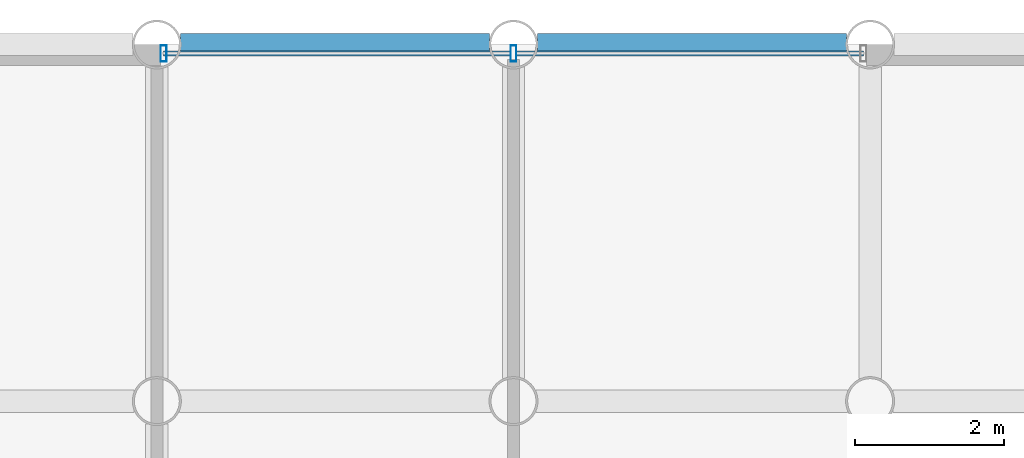
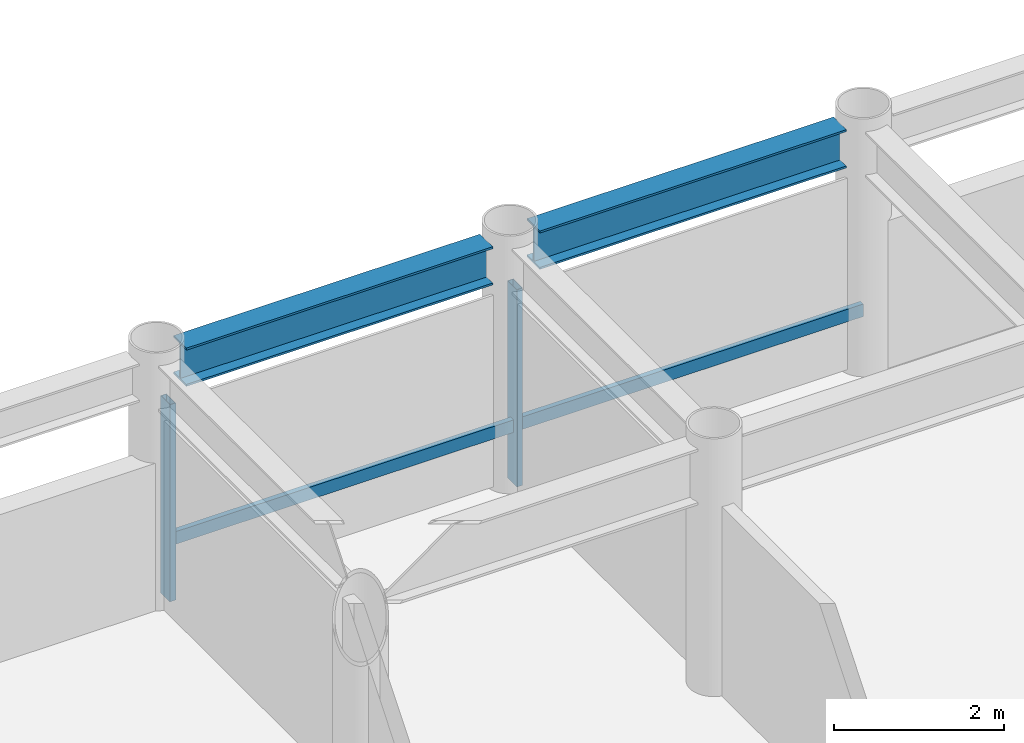
# One storey, part 12 of 22: 4 members, 2 beams, 1 element without a shape of its own.
"""IFC4 building model written with IfcOpenShell, lengths in metres."""

from ifc_helpers import new_model, si_unit, direction, frame, origin, origin_2d, place, context, subcontext, project, spatial, hollow_rectangle, i_section, extrude, material, layer, layer_set, material_profile, profile_set, type_object, element, aggregate, save


model = new_model("IFC4")

# Units and contexts
model_context = context("Model", 3, precision=1e-05, world=origin(), true_north=direction((0.0, 1.0)))
body_context = subcontext(model_context, "Body", "Model", "MODEL_VIEW")
ifc_project = project(units=[si_unit("LENGTHUNIT", "METRE"), si_unit("AREAUNIT", "SQUARE_METRE"), si_unit("VOLUMEUNIT", "CUBIC_METRE"), si_unit("PLANEANGLEUNIT", "RADIAN"), si_unit("MASSUNIT", "GRAM", prefix="KILO")], contexts=[model_context])

# Site, building, storey
site_placement = place(None, origin())
site = spatial("IfcSite", under=ifc_project, at=site_placement, CompositionType="ELEMENT")
building_placement = place(site_placement, origin())
building = spatial("IfcBuilding", under=site, at=building_placement, Name="Kallvorn Hotel Tower", CompositionType="ELEMENT")
storey_placement = place(building_placement, frame((0.0, 0.0, 102.60009765625)))
storey = spatial("IfcBuildingStorey", under=building, at=storey_placement, Name="L24", CompositionType="ELEMENT", Elevation=102.60009765625)

# Beams
ifc_material_1 = material(Name="Structural steel S355JR", Category="steel")
ifc_material_profile_1 = material_profile(ifc_material_1, i_section(OverallWidth=0.300048828125, OverallDepth=0.550048828125, WebThickness=0.014892578125, FlangeThickness=0.029052734375, at=origin_2d()), Name="HE 550 B")
ifc_profile_set_1 = profile_set([ifc_material_profile_1], Name="Structural steel S355JR")
beam_type = type_object("IfcBeamType", Name="BM_HE550B", PredefinedType="SPANDREL", material=ifc_profile_set_1)
for number, where, z_axis, x_axis, name in (
    (1, (-4.47998046875, 24.0, 3.244873046875), (1.0, 0.0, 0.0), (0.0, 1.0, 0.0), "L25 Perimeter Spandrel 167"),
    (2, (0.320068359375, 24.0, 3.244873046875), (1.0, 0.0, 0.0), (0.0, 1.0, 0.0), "L25 Perimeter Spandrel 168"),
):
    element("IfcBeam", number, at=place(storey_placement, frame(where, z_axis=z_axis, x_axis=x_axis)), inside=storey, type_object=beam_type, Name=name, PredefinedType="SPANDREL", context=body_context, shape_type="SweptSolid", body=[
        extrude(i_section(OverallWidth=0.300048828125, OverallDepth=0.550048828125, WebThickness=0.014892578125, FlangeThickness=0.029052734375, at=origin_2d()), origin(), (0.0, 0.0, 1.0), 4.159912109375),
    ])

# Curtain wall, members
ifc_material_2 = material(Name="Thermally broken black-anodised aluminium AA 6063-T6", Category="aluminium")
ifc_layer = layer(ifc_material_2, 0.199951171875)
ifc_layer_set = layer_set([ifc_layer], Name="CW_SYS_3_HOTEL_LOW")
curtain_wall_type = type_object("IfcCurtainWallType", Name="CW_SYS_3_HOTEL_LOW", PredefinedType="USERDEFINED", material=ifc_layer_set)
curtain_wall_placement = place(storey_placement, origin())
curtain_wall = element("IfcCurtainWall", 3, at=curtain_wall_placement, inside=storey, type_object=curtain_wall_type, Name="L24 Dark-Glass Curtain Wall CW-L24-NC", ObjectType="UNITISED CURTAIN WALL", PredefinedType="USERDEFINED")
ifc_material_3 = material(Name="Thermally broken black-anodised aluminium AA 6063-T6", Category="aluminium")
ifc_material_profile_2 = material_profile(ifc_material_3, hollow_rectangle(XDim=0.080078125, YDim=0.219970703125, WallThickness=0.0048828125, at=origin_2d()), Name="MUL 220x80")
ifc_profile_set_2 = profile_set([ifc_material_profile_2], Name="Thermally broken black-anodised aluminium AA 6063-T6")
member_type_1 = type_object("IfcMemberType", Name="CW_MULLION_220x80", PredefinedType="MULLION", material=ifc_profile_set_2)
member_1_placement = place(storey_placement, frame((-4.7099609375, 23.8798828125, 0.02001953125), z_axis=(0.0, 0.0, 1.0), x_axis=(1.0, 0.0, 0.0)))
member_1 = element("IfcMember", 4, at=member_1_placement, type_object=member_type_1, Name="CW-L24-NC Mullion 00", PredefinedType="MULLION", context=body_context, shape_type="SweptSolid", body=[
    extrude(hollow_rectangle(XDim=0.080078125, YDim=0.219970703125, WallThickness=0.0048828125, at=origin_2d()), origin(), (0.0, 0.0, 1.0), 2.829833984375),
])
member_2_placement = place(storey_placement, frame((0.0, 23.8798828125, 0.02001953125), z_axis=(0.0, 0.0, 1.0), x_axis=(1.0, 0.0, 0.0)))
member_2 = element("IfcMember", 5, at=member_2_placement, type_object=member_type_1, Name="CW-L24-NC Mullion 01", PredefinedType="MULLION", context=body_context, shape_type="SweptSolid", body=[
    extrude(hollow_rectangle(XDim=0.080078125, YDim=0.219970703125, WallThickness=0.0048828125, at=origin_2d()), origin(), (0.0, 0.0, 1.0), 2.829833984375),
])
ifc_material_4 = material(Name="Thermally broken black-anodised aluminium AA 6063-T6", Category="aluminium")
ifc_material_profile_3 = material_profile(ifc_material_4, hollow_rectangle(XDim=0.070068359375, YDim=0.179931640625, WallThickness=0.00390625, at=origin_2d()), Name="TRN 180x70")
ifc_profile_set_3 = profile_set([ifc_material_profile_3], Name="Thermally broken black-anodised aluminium AA 6063-T6")
member_type_2 = type_object("IfcMemberType", Name="CW_TRANSOM_180x70", PredefinedType="USERDEFINED", material=ifc_profile_set_3)
member_3_placement = place(storey_placement, frame((-4.7099609375, 23.8798828125, 0.849853515625), z_axis=(1.0, 0.0, 0.0), x_axis=(0.0, 1.0, 0.0)))
member_3 = element("IfcMember", 6, at=member_3_placement, type_object=member_type_2, Name="CW-L24-NC Transom 00M", ObjectType="TRANSOM", PredefinedType="USERDEFINED", context=body_context, shape_type="SweptSolid", body=[
    extrude(hollow_rectangle(XDim=0.070068359375, YDim=0.179931640625, WallThickness=0.00390625, at=origin_2d()), origin(), (0.0, 0.0, 1.0), 4.669921875),
])
member_4_placement = place(storey_placement, frame((0.0400390625, 23.8798828125, 0.849853515625), z_axis=(1.0, 0.0, 0.0), x_axis=(0.0, 1.0, 0.0)))
member_4 = element("IfcMember", 7, at=member_4_placement, type_object=member_type_2, Name="CW-L24-NC Transom 01M", ObjectType="TRANSOM", PredefinedType="USERDEFINED", context=body_context, shape_type="SweptSolid", body=[
    extrude(hollow_rectangle(XDim=0.070068359375, YDim=0.179931640625, WallThickness=0.00390625, at=origin_2d()), origin(), (0.0, 0.0, 1.0), 4.669921875),
])
aggregate(curtain_wall, [member_1, member_2, member_3, member_4])

save(model, "model.ifc")
